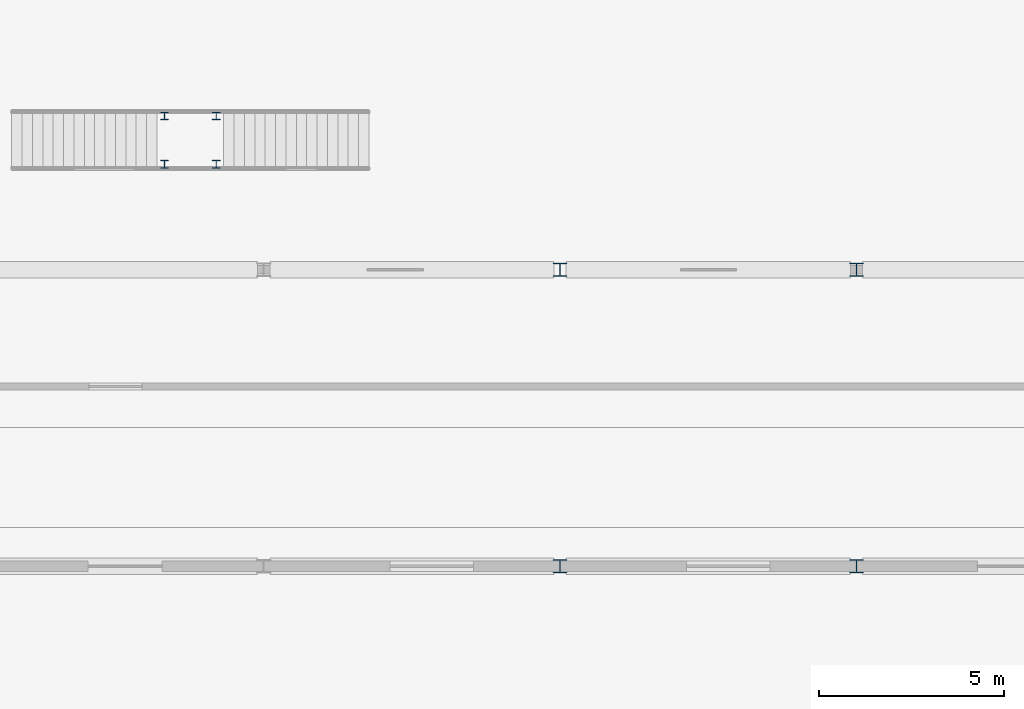
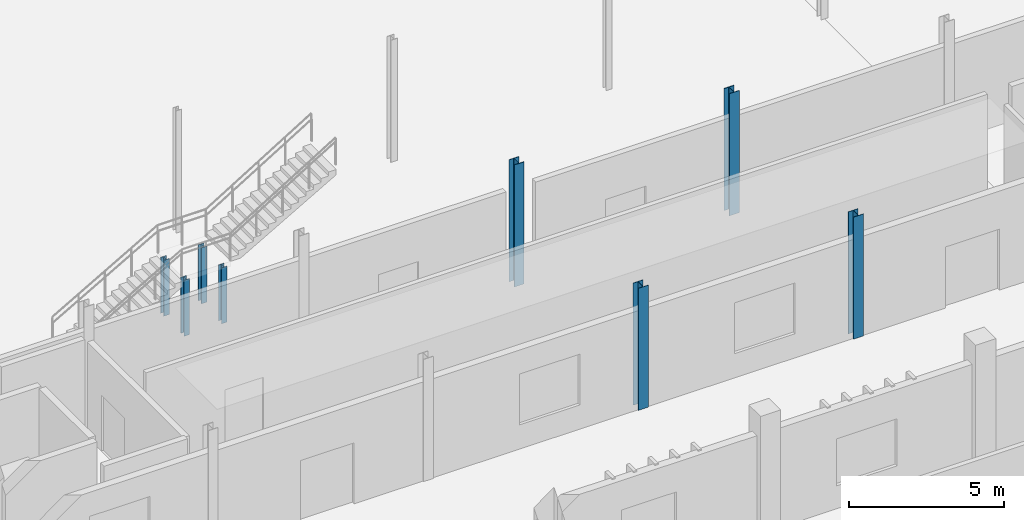
# One storey, part 9 of 117: 8 columns.
"""IFC4 building model written with IfcOpenShell, lengths in metres."""

from ifc_helpers import new_model, si_unit, direction, frame, origin, origin_2d, place, context, subcontext, project, spatial, i_section, extrude, material, material_profile, profile_set, type_object, element, save


model = new_model("IFC4")

# Units and contexts
model_context = context("Model", 3, precision=1e-05, world=origin(), true_north=direction((0.0, 1.0)))
body_context = subcontext(model_context, "Body", "Model", "MODEL_VIEW")
ifc_project = project(units=[si_unit("LENGTHUNIT", "METRE"), si_unit("AREAUNIT", "SQUARE_METRE"), si_unit("VOLUMEUNIT", "CUBIC_METRE"), si_unit("PLANEANGLEUNIT", "RADIAN"), si_unit("MASSUNIT", "GRAM", prefix="KILO")], contexts=[model_context])

# Site, building, storey
site_placement = place(None, origin())
site = spatial("IfcSite", under=ifc_project, at=site_placement, CompositionType="ELEMENT")
building_placement = place(site_placement, origin())
building = spatial("IfcBuilding", under=site, at=building_placement, Name="Jelvoka-Kovrelna Polytechnic", CompositionType="ELEMENT")
storey_placement = place(building_placement, origin())
storey = spatial("IfcBuildingStorey", under=building, at=storey_placement, Name="L01", CompositionType="ELEMENT", Elevation=0.0)

# Columns
ifc_material_1 = material(Name="Structural steel S355JR", Category="steel")
ifc_material_profile_1 = material_profile(ifc_material_1, i_section(OverallWidth=0.205810546875, OverallDepth=0.209716796875, WebThickness=0.009521484375, FlangeThickness=0.01416015625, FilletRadius=0.01025390625, at=origin_2d()), Name="203x203x60 UC")
ifc_profile_set_1 = profile_set([ifc_material_profile_1], Name="Structural steel S355JR")
column_type_1 = type_object("IfcColumnType", Name="Col_Steel_UC203", PredefinedType="COLUMN", material=ifc_profile_set_1)
for number, where, z_axis, x_axis, name in (
    (1, (117.320068359375, 90.85009765625, 0.0), (0.0, 0.0, 1.0), (1.0, 0.0, 0.0), "L01 feature stair landing post 1690"),
    (2, (117.320068359375, 92.14990234375, 0.0), (0.0, 0.0, 1.0), (1.0, 0.0, 0.0), "L01 feature stair landing post 1691"),
    (3, (118.719970703125, 90.85009765625, 0.0), (0.0, 0.0, 1.0), (1.0, 0.0, 0.0), "L01 feature stair landing post 1692"),
    (4, (118.719970703125, 92.14990234375, 0.0), (0.0, 0.0, 1.0), (1.0, 0.0, 0.0), "L01 feature stair landing post 1693"),
):
    element("IfcColumn", number, at=place(storey_placement, frame(where, z_axis=z_axis, x_axis=x_axis)), inside=storey, type_object=column_type_1, Name=name, PredefinedType="COLUMN", context=body_context, shape_type="SweptSolid", body=[
        extrude(i_section(OverallWidth=0.205810546875, OverallDepth=0.209716796875, WebThickness=0.009521484375, FlangeThickness=0.01416015625, FilletRadius=0.01025390625, at=origin_2d()), origin(), (0.0, 0.0, 1.0), 2.199951171875),
    ])
ifc_material_2 = material(Name="Structural steel S355JR", Category="steel")
ifc_material_profile_2 = material_profile(ifc_material_2, i_section(OverallWidth=0.36865234375, OverallDepth=0.355712890625, WebThickness=0.010498046875, FlangeThickness=0.017578125, FilletRadius=0.01513671875, at=origin_2d()), Name="356x368x129 UC")
ifc_profile_set_2 = profile_set([ifc_material_profile_2], Name="Structural steel S355JR")
column_type_2 = type_object("IfcColumnType", Name="Col_Steel_UC356", PredefinedType="COLUMN", material=ifc_profile_set_2)
for number, where, z_axis, x_axis, name in (
    (5, (128.0, 80.0, 0.0), (0.0, 0.0, 1.0), (1.0, 0.0, 0.0), "L01 column 1492"),
    (6, (136.0, 80.0, 0.0), (0.0, 0.0, 1.0), (1.0, 0.0, 0.0), "L01 column 1495"),
    (7, (128.0, 88.0, 0.0), (0.0, 0.0, 1.0), (1.0, 0.0, 0.0), "L01 column 1547"),
    (8, (136.0, 88.0, 0.0), (0.0, 0.0, 1.0), (1.0, 0.0, 0.0), "L01 column 1550"),
):
    element("IfcColumn", number, at=place(storey_placement, frame(where, z_axis=z_axis, x_axis=x_axis)), inside=storey, type_object=column_type_2, Name=name, PredefinedType="COLUMN", context=body_context, shape_type="SweptSolid", body=[
        extrude(i_section(OverallWidth=0.36865234375, OverallDepth=0.355712890625, WebThickness=0.010498046875, FlangeThickness=0.017578125, FilletRadius=0.01513671875, at=origin_2d()), origin(), (0.0, 0.0, 1.0), 4.800048828125),
    ])

save(model, "model.ifc")
